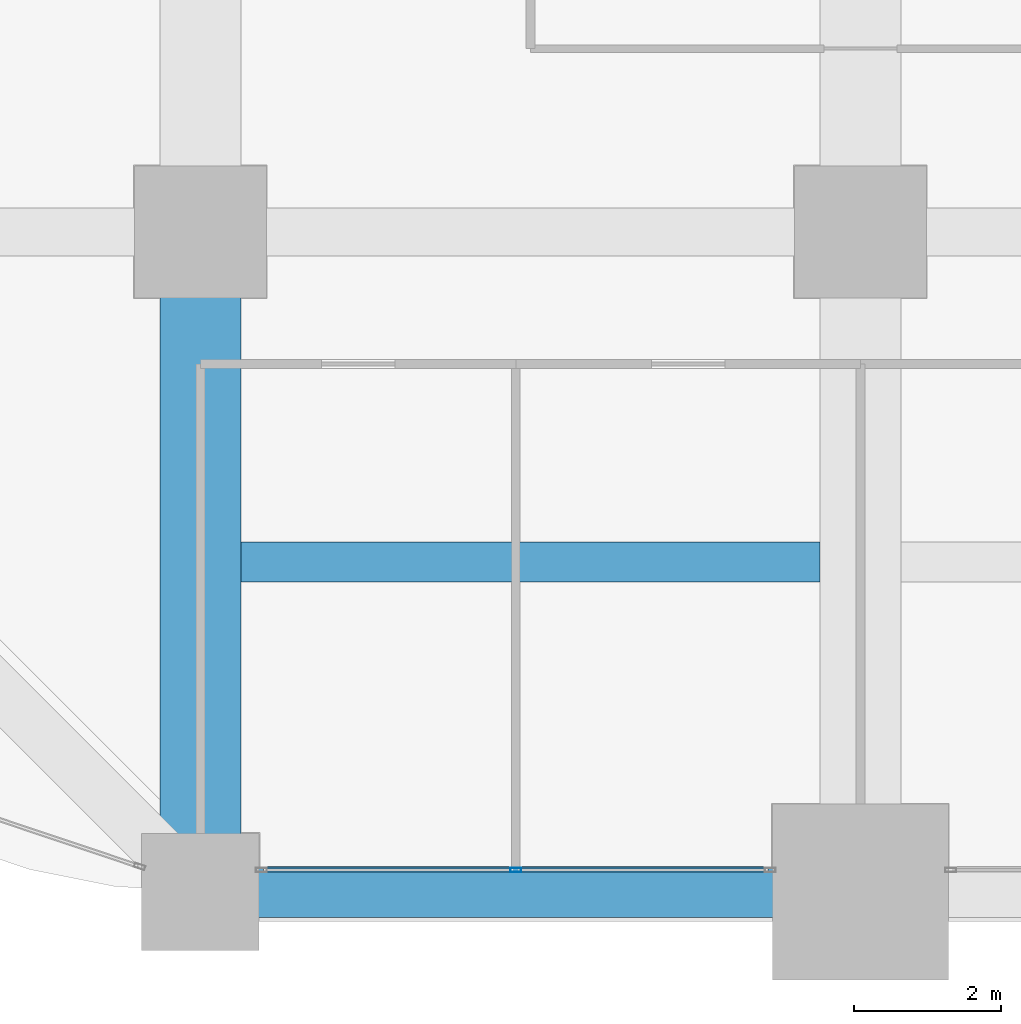
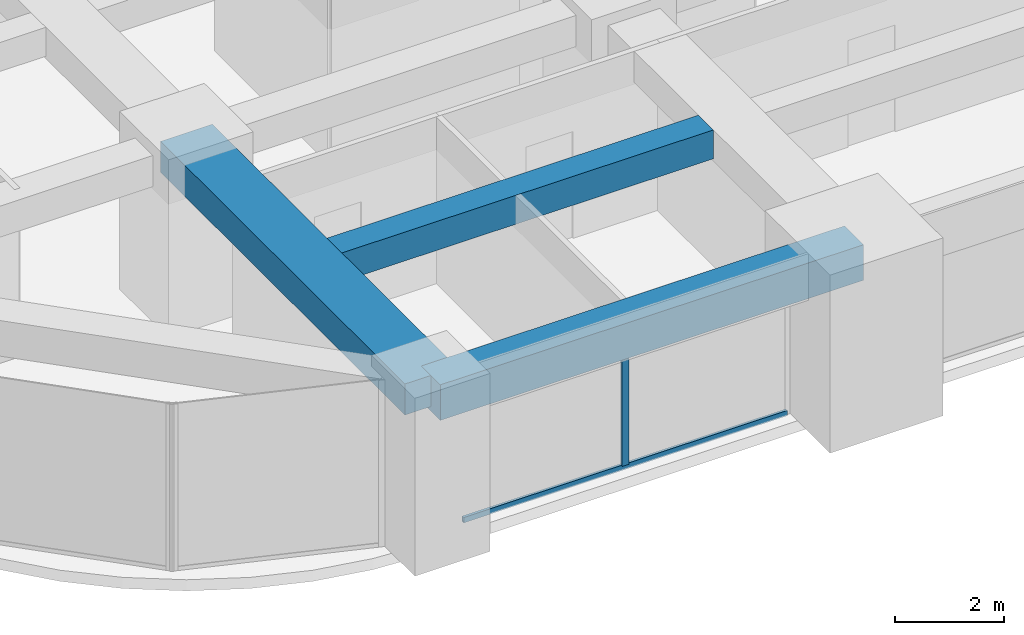
# One storey, part 3 of 41: 3 beams, 2 members, 1 element without a shape of its own.
"""IFC4 building model written with IfcOpenShell, lengths in metres."""

from ifc_helpers import new_model, si_unit, direction, frame, origin, origin_2d, place, context, subcontext, project, spatial, rectangle, hollow_rectangle, extrude, material, material_profile, profile_set, type_object, element, aggregate, save


model = new_model("IFC4")

# Units and contexts
model_context = context("Model", 3, precision=1e-05, world=origin(), true_north=direction((0.0, 1.0)))
body_context = subcontext(model_context, "Body", "Model", "MODEL_VIEW")
ifc_project = project(units=[si_unit("LENGTHUNIT", "METRE"), si_unit("AREAUNIT", "SQUARE_METRE"), si_unit("VOLUMEUNIT", "CUBIC_METRE"), si_unit("PLANEANGLEUNIT", "RADIAN"), si_unit("MASSUNIT", "GRAM", prefix="KILO")], contexts=[model_context])

# Site, building, storey
site_placement = place(None, origin())
site = spatial("IfcSite", under=ifc_project, at=site_placement, CompositionType="ELEMENT")
building_placement = place(site_placement, origin())
building = spatial("IfcBuilding", under=site, at=building_placement, Name="Zorevar Civic Tower", CompositionType="ELEMENT")
storey_placement = place(building_placement, frame((0.0, 0.0, 137.0)))
storey = spatial("IfcBuildingStorey", under=building, at=storey_placement, Name="L33", CompositionType="ELEMENT", Elevation=137.0)

# Beams
ifc_material_1 = material(Name="Concrete C50/60", Category="concrete")
ifc_material_profile_1 = material_profile(ifc_material_1, rectangle(XDim=1.10009765625, YDim=0.699951171875, at=origin_2d()), Name="RC 1100x700")
ifc_profile_set_1 = profile_set([ifc_material_profile_1], Name="Concrete C50/60")
beam_type_1 = type_object("IfcBeamType", Name="Beam RC 1100x700", PredefinedType="BEAM", material=ifc_profile_set_1)
beam_1_placement = place(storey_placement, frame((9.0, 0.0, 3.39990234375), z_axis=(0.0, 1.0, 0.0), x_axis=(-1.0, 0.0, 0.0)))
element("IfcBeam", 1, at=beam_1_placement, inside=storey, type_object=beam_type_1, Name="Girder L34", PredefinedType="BEAM", context=body_context, shape_type="SweptSolid", body=[
    extrude(rectangle(XDim=1.10009765625, YDim=0.699951171875, at=origin_2d()), origin(), (0.0, 0.0, 1.0), 9.0),
])
ifc_material_2 = material(Name="Concrete C50/60", Category="concrete")
ifc_material_profile_2 = material_profile(ifc_material_2, rectangle(XDim=0.550048828125, YDim=0.64990234375, at=origin_2d()), Name="RC 550x650")
ifc_profile_set_2 = profile_set([ifc_material_profile_2], Name="Concrete C50/60")
beam_type_2 = type_object("IfcBeamType", Name="Beam RC 550x650", PredefinedType="BEAM", material=ifc_profile_set_2)
beam_2_placement = place(storey_placement, frame((9.550048828125, 4.5, 3.425048828125), z_axis=(1.0, 0.0, 0.0), x_axis=(0.0, 1.0, 0.0)))
element("IfcBeam", 2, at=beam_2_placement, inside=storey, type_object=beam_type_2, Name="Secondary beam L34", PredefinedType="BEAM", context=body_context, shape_type="SweptSolid", body=[
    extrude(rectangle(XDim=0.550048828125, YDim=0.64990234375, at=origin_2d()), origin(), (0.0, 0.0, 1.0), 7.89990234375),
])

# Curtain wall, members
ifc_material_3 = material(Name="Dark grey solar-control glass in black aluminium frame", Category="aluminium")
curtain_wall_type = type_object("IfcCurtainWallType", Name="Curtain wall CW3 mid zone", PredefinedType="NOTDEFINED", material=ifc_material_3)
curtain_wall_placement = place(storey_placement, origin())
curtain_wall = element("IfcCurtainWall", 3, at=curtain_wall_placement, inside=storey, type_object=curtain_wall_type, Name="CW3 L33", PredefinedType="NOTDEFINED")
ifc_material_4 = material(Name="Aluminium, black anodised", Category="aluminium")
ifc_material_profile_3 = material_profile(ifc_material_4, hollow_rectangle(XDim=0.06005859375, YDim=0.14990234375, WallThickness=0.00390625, at=origin_2d()), Name="AL 150x60x4")
ifc_profile_set_3 = profile_set([ifc_material_profile_3], Name="Aluminium, black anodised")
member_type_1 = type_object("IfcMemberType", Name="CW3 mullion AL 150x60x4", PredefinedType="MULLION", material=ifc_profile_set_3)
member_1_placement = place(storey_placement, frame((13.300048828125, 0.300048828125, 0.06005859375), z_axis=(0.0, 0.0, 1.0), x_axis=(0.0, 1.0, 0.0)))
member_1 = element("IfcMember", 4, at=member_1_placement, type_object=member_type_1, Name="CW3 mullion 2", PredefinedType="MULLION", context=body_context, shape_type="SweptSolid", body=[
    extrude(hollow_rectangle(XDim=0.06005859375, YDim=0.14990234375, WallThickness=0.00390625, at=origin_2d()), origin(), (0.0, 0.0, 1.0), 2.889892578125),
])
ifc_material_5 = material(Name="Aluminium, black anodised", Category="aluminium")
ifc_material_profile_4 = material_profile(ifc_material_5, hollow_rectangle(XDim=0.06005859375, YDim=0.1201171875, WallThickness=0.0029296875, at=origin_2d()), Name="AL 120x60x3")
ifc_profile_set_4 = profile_set([ifc_material_profile_4], Name="Aluminium, black anodised")
member_type_2 = type_object("IfcMemberType", Name="CW3 transom AL 120x60x3", PredefinedType="USERDEFINED", material=ifc_profile_set_4)
member_2_placement = place(storey_placement, frame((9.860107421875, 0.300048828125, 0.030029296875), z_axis=(1.0, 0.0, 0.0), x_axis=(0.0, 1.0, 0.0)))
member_2 = element("IfcMember", 5, at=member_2_placement, type_object=member_type_2, Name="CW3 sill transom", ObjectType="TRANSOM", PredefinedType="USERDEFINED", context=body_context, shape_type="SweptSolid", body=[
    extrude(hollow_rectangle(XDim=0.06005859375, YDim=0.1201171875, WallThickness=0.0029296875, at=origin_2d()), origin(), (0.0, 0.0, 1.0), 6.8798828125),
])
aggregate(curtain_wall, [member_1, member_2])

# Beam
ifc_material_6 = material(Name="Concrete C50/60", Category="concrete")
ifc_material_profile_5 = material_profile(ifc_material_6, rectangle(XDim=0.699951171875, YDim=0.800048828125, at=origin_2d()), Name="RC 700x800")
ifc_profile_set_5 = profile_set([ifc_material_profile_5], Name="Concrete C50/60")
beam_type_3 = type_object("IfcBeamType", Name="Edge beam RC 700x800", PredefinedType="SPANDREL", material=ifc_profile_set_5)
beam_3_placement = place(storey_placement, frame((9.0, 0.0, 3.35009765625), z_axis=(1.0, 0.0, 0.0), x_axis=(0.0, 1.0, 0.0)))
element("IfcBeam", 6, at=beam_3_placement, inside=storey, type_object=beam_type_3, Name="Edge beam L34", PredefinedType="SPANDREL", context=body_context, shape_type="SweptSolid", body=[
    extrude(rectangle(XDim=0.699951171875, YDim=0.800048828125, at=origin_2d()), origin(), (0.0, 0.0, 1.0), 9.0),
])

save(model, "model.ifc")
